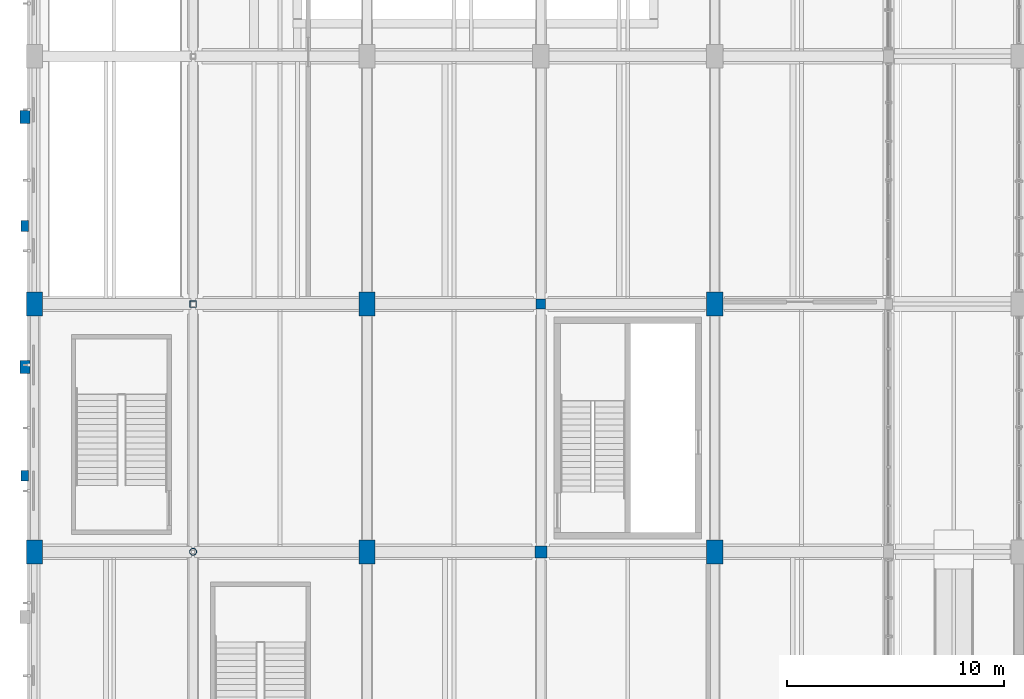
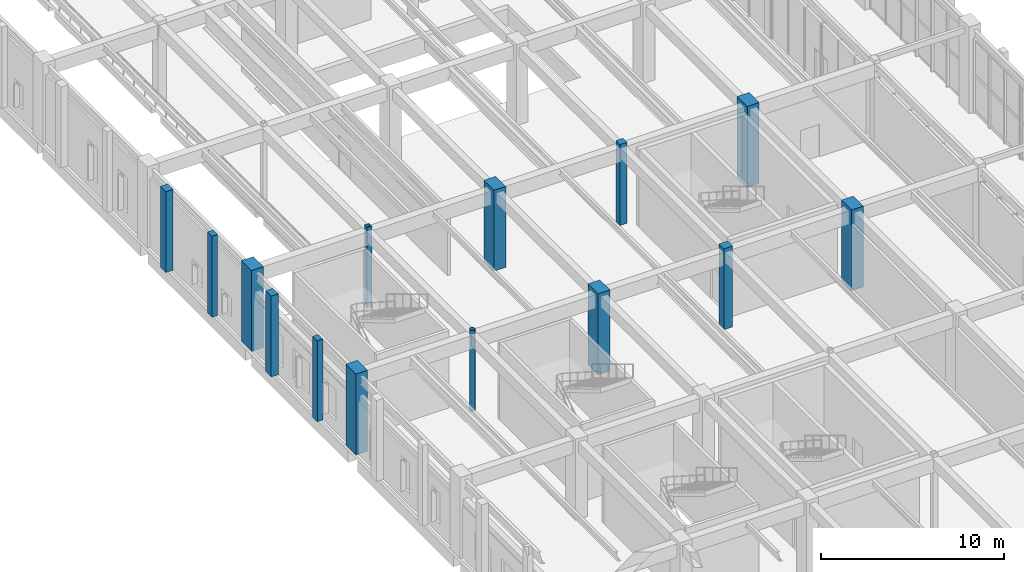
# One storey, part 5 of 113: 14 columns.
"""IFC4 building model written with IfcOpenShell, lengths in metres."""

import ifcopenshell
import ifcopenshell.guid

model = None  # the IFC model being written
_history = None  # IfcOwnerHistory: only IFC2X3 demands one
_inside = {}  # id of a spatial element -> (the spatial element, [elements in it])
_under = {}  # id of a project, library or spatial element -> (it, [spatial elements below it])
_declared = {}  # id of a project -> (the project, [libraries it declares])
_typed = {}  # id of a type object -> (the type object, [elements of that type])
_made_of = {}  # id of a material, layer set ... -> (it, [elements and type objects made of it])


def new_model(schema):
    """Start an empty IFC model of exactly this schema.

    Asked for "IFC4X3", IfcOpenShell would pick the latest addendum, in which some entities
    have other attributes; the version numbers below select the first issue.
    IFC2X3 requires an IfcOwnerHistory on every rooted entity: one is made here for all.
    """
    global model, _history
    if schema == "IFC4X3":
        model = ifcopenshell.file(schema_version=(4, 3, 0, 0))
    else:
        model = ifcopenshell.file(schema=schema)
    _inside.clear()
    _under.clear()
    _declared.clear()
    _typed.clear()
    _made_of.clear()
    _history = None
    if model.schema == "IFC2X3":
        org = make("IfcOrganization", Name="unknown")
        user = make(
            "IfcPersonAndOrganization",
            ThePerson=make("IfcPerson", FamilyName="unknown"),
            TheOrganization=org,
        )
        app = make(
            "IfcApplication",
            ApplicationDeveloper=org,
            Version="unknown",
            ApplicationFullName="unknown",
            ApplicationIdentifier="unknown",
        )
        _history = make(
            "IfcOwnerHistory",
            OwningUser=user,
            OwningApplication=app,
            ChangeAction="ADDED",
            CreationDate=0,
        )
    return model


def make(cls, **values):
    """One entity of the class cls with the attributes given. An attribute that is None is left unset."""
    return model.create_entity(
        cls, **{name: value for name, value in values.items() if value is not None}
    )


def rooted(cls, **values):
    """An entity with a GlobalId (a new one), such as an element, a storey or a relation."""
    return make(cls, GlobalId=ifcopenshell.guid.new(), OwnerHistory=_history, **values)


def si_unit(unit_type, name, prefix=None):
    """IfcSIUnit, for example si_unit("LENGTHUNIT", "METRE", prefix="MILLI")."""
    return make("IfcSIUnit", UnitType=unit_type, Prefix=prefix, Name=name)


def assignment(units):
    """IfcUnitAssignment: the units of a project."""
    return None if units is None else make("IfcUnitAssignment", Units=units)


def point(xyz):
    """IfcCartesianPoint."""
    return None if xyz is None else make("IfcCartesianPoint", Coordinates=xyz)


def direction(xyz):
    """IfcDirection."""
    return None if xyz is None else make("IfcDirection", DirectionRatios=xyz)


def frame(location, z_axis=None, x_axis=None):
    """IfcAxis2Placement3D, a coordinate frame: its origin and axes. An axis left out is left unset."""
    return make(
        "IfcAxis2Placement3D",
        Location=point(location),
        Axis=direction(z_axis),
        RefDirection=direction(x_axis),
    )


def frame_2d(location, x_axis=None):
    """IfcAxis2Placement2D, a coordinate frame in the plane: its origin and x axis."""
    return make(
        "IfcAxis2Placement2D", Location=point(location), RefDirection=direction(x_axis)
    )


def origin():
    """The frame at (0, 0, 0) with its axes left unset."""
    return frame((0.0, 0.0, 0.0))


def origin_2d():
    """The frame at (0, 0) in the plane with its x axis left unset."""
    return frame_2d((0.0, 0.0))


def place(relative_to, where):
    """IfcLocalPlacement: puts the frame where relative to a parent placement (None: the world)."""
    return make(
        "IfcLocalPlacement", PlacementRelTo=relative_to, RelativePlacement=where
    )


def context(
    kind, dimensions, precision=None, world=None, true_north=None, identifier=None
):
    """IfcGeometricRepresentationContext, for example the 3D "Model" context."""
    return make(
        "IfcGeometricRepresentationContext",
        ContextIdentifier=identifier,
        ContextType=kind,
        CoordinateSpaceDimension=dimensions,
        Precision=precision,
        WorldCoordinateSystem=world,
        TrueNorth=true_north,
    )


def subcontext(parent, identifier, kind, view, scale=None):
    """IfcGeometricRepresentationSubContext, for example "Body" below "Model"."""
    return make(
        "IfcGeometricRepresentationSubContext",
        ContextIdentifier=identifier,
        ContextType=kind,
        ParentContext=parent,
        TargetScale=scale,
        TargetView=view,
    )


def project(units=None, contexts=None):
    """IfcProject with its units and contexts."""
    return rooted(
        "IfcProject",
        Name="project",
        RepresentationContexts=contexts,
        UnitsInContext=assignment(units),
    )


def spatial(cls, under=None, at=None, **own):
    """A site, building, storey or space (cls), placed at a placement, below another one or the project."""
    s = rooted(cls, ObjectPlacement=at, **own)
    if under is not None:
        _under.setdefault(under.id(), (under, []))[1].append(s)
    return s


def profile(cls, at=None, kind="AREA", **sizes):
    """A parametric profile (cls). Its sizes go by their IFC names, for example OverallWidth=200.0."""
    return make(cls, ProfileType=kind, Position=at, **sizes)


def rectangle(**sizes):
    """IfcRectangleProfileDef."""
    return profile("IfcRectangleProfileDef", **sizes)


def hollow_rectangle(**sizes):
    """IfcRectangleHollowProfileDef."""
    return profile("IfcRectangleHollowProfileDef", **sizes)


def hollow_circle(**sizes):
    """IfcCircleHollowProfileDef."""
    return profile("IfcCircleHollowProfileDef", **sizes)


def extrude(swept, where, along, depth):
    """IfcExtrudedAreaSolid: the profile swept, set in the frame where, extruded along a direction by depth."""
    return make(
        "IfcExtrudedAreaSolid",
        SweptArea=swept,
        Position=where,
        ExtrudedDirection=direction(along),
        Depth=depth,
    )


def shape(context_of_items, identifier, shape_type, items):
    """IfcShapeRepresentation: the items that make up one representation, for example the "Body"."""
    return make(
        "IfcShapeRepresentation",
        ContextOfItems=context_of_items,
        RepresentationIdentifier=identifier,
        RepresentationType=shape_type,
        Items=items,
    )


def material(Name=None, Category=None):
    """IfcMaterial."""
    return make("IfcMaterial", Name=Name, Category=Category)


def material_profile(
    of_material, cross_section, Name=None, Category=None, Priority=None
):
    """IfcMaterialProfile: a cross section and its material."""
    return make(
        "IfcMaterialProfile",
        Name=Name,
        Material=of_material,
        Profile=cross_section,
        Priority=Priority,
        Category=Category,
    )


def profile_set(profiles, Name=None, composite=None):
    """IfcMaterialProfileSet."""
    return make(
        "IfcMaterialProfileSet",
        Name=Name,
        MaterialProfiles=profiles,
        CompositeProfile=composite,
    )


def made_of(thing, what):
    """Note that an element or type object is made of a material, layer set ...; save() writes the relation."""
    if what is not None:
        _made_of.setdefault(what.id(), (what, []))[1].append(thing)
    return thing


def type_object(cls, material=None, **own):
    """A type object (cls), such as IfcWallType, which elements share."""
    return made_of(rooted(cls, **own), material)


def element(
    cls,
    number,
    at=None,
    inside=None,
    cuts=None,
    type_object=None,
    material=None,
    context=None,
    identifier="Body",
    shape_type=None,
    held_by="IfcProductDefinitionShape",
    body=None,
    shapes=None,
    **own,
):
    """One element of the class cls, such as IfcWall. Its Tag is "e" and its number.

    at: its placement. inside: the storey or other place that contains it. cuts: it is an
    opening in that element (IfcRelVoidsElement). A single representation is given by context,
    identifier, shape_type and body (its items); several are given by shapes. held_by: the class
    of the entity that holds the representations. save() writes the other relations.
    """
    e = rooted(cls, Tag="e%d" % number, ObjectPlacement=at, **own)
    if body is not None:
        shapes = [shape(context, identifier, shape_type, body)]
    if shapes is not None:
        e.Representation = make(held_by, Representations=shapes)
    if inside is not None:
        _inside.setdefault(inside.id(), (inside, []))[1].append(e)
    if cuts is not None:
        rooted(
            "IfcRelVoidsElement", RelatingBuildingElement=cuts, RelatedOpeningElement=e
        )
    if type_object is not None:
        _typed.setdefault(type_object.id(), (type_object, []))[1].append(e)
    return made_of(e, material)


def aggregate(whole, parts):
    """IfcRelAggregates: a whole, such as a stair, and the parts it consists of."""
    return rooted("IfcRelAggregates", RelatingObject=whole, RelatedObjects=parts)


def save(model, path):
    """Write the relations noted so far, then the file.

    IfcRelAggregates (storeys below a building ...), IfcRelContainedInSpatialStructure (elements
    in a storey), IfcRelDefinesByType, IfcRelAssociatesMaterial and IfcRelDeclares: one each for
    every whole, place, type object, material and project.
    """
    for whole, parts in _under.values():
        aggregate(whole, parts)
    for where, things in _inside.values():
        rooted(
            "IfcRelContainedInSpatialStructure",
            RelatedElements=things,
            RelatingStructure=where,
        )
    for kind, things in _typed.values():
        rooted("IfcRelDefinesByType", RelatedObjects=things, RelatingType=kind)
    for what, things in _made_of.values():
        rooted("IfcRelAssociatesMaterial", RelatedObjects=things, RelatingMaterial=what)
    for by, libraries in _declared.values():
        rooted("IfcRelDeclares", RelatingContext=by, RelatedDefinitions=libraries)
    model.write(path)


model = new_model("IFC4")

# Units and contexts
model_context = context("Model", 3, precision=1e-05, world=origin(), true_north=direction((0.0, 1.0)))
body_context = subcontext(model_context, "Body", "Model", "MODEL_VIEW")
ifc_project = project(units=[si_unit("LENGTHUNIT", "METRE"), si_unit("AREAUNIT", "SQUARE_METRE"), si_unit("VOLUMEUNIT", "CUBIC_METRE"), si_unit("PLANEANGLEUNIT", "RADIAN"), si_unit("MASSUNIT", "GRAM", prefix="KILO"), si_unit("POWERUNIT", "WATT"), si_unit("THERMODYNAMICTEMPERATUREUNIT", "KELVIN")], contexts=[model_context])

# Site, building, storey
site_placement = place(None, origin())
site = spatial("IfcSite", under=ifc_project, at=site_placement, CompositionType="ELEMENT")
building_placement = place(site_placement, origin())
building = spatial("IfcBuilding", under=site, at=building_placement, Name="Kelmbourne Parkland Aquatics Centre", CompositionType="ELEMENT")
storey_placement = place(building_placement, origin())
storey = spatial("IfcBuildingStorey", under=building, at=storey_placement, Name="L00", CompositionType="ELEMENT", Elevation=0.0)

# Columns
ifc_material_1 = material(Name="Concrete C40/50", Category="concrete")
ifc_material_profile_1 = material_profile(ifc_material_1, rectangle(XDim=0.75, YDim=1.10009765625, at=origin_2d()), Name="RC 750x1100")
ifc_profile_set_1 = profile_set([ifc_material_profile_1], Name="Concrete C40/50")
column_type_1 = type_object("IfcColumnType", Name="COL-C03", PredefinedType="COLUMN", material=ifc_profile_set_1)
for number, where, z_axis, x_axis, name in (
    (1, (0.699951171875, 35.0, 0.0), (0.0, 0.0, 1.0), (1.0, 0.0, 0.0), "Structural column A-05 (L00)"),
    (2, (0.699951171875, 46.39990234375, 0.0), (0.0, 0.0, 1.0), (1.0, 0.0, 0.0), "Structural column A-06 (L00)"),
    (3, (16.0, 35.0, 0.0), (0.0, 0.0, 1.0), (1.0, 0.0, 0.0), "Structural column C-05 (L00)"),
    (4, (16.0, 46.39990234375, 0.0), (0.0, 0.0, 1.0), (1.0, 0.0, 0.0), "Structural column C-06 (L00)"),
    (5, (32.0, 35.0, 0.0), (0.0, 0.0, 1.0), (1.0, 0.0, 0.0), "Structural column E-05 (L00)"),
    (6, (32.0, 46.39990234375, 0.0), (0.0, 0.0, 1.0), (1.0, 0.0, 0.0), "Structural column E-06 (L00)"),
):
    element("IfcColumn", number, at=place(storey_placement, frame(where, z_axis=z_axis, x_axis=x_axis)), inside=storey, type_object=column_type_1, Name=name, PredefinedType="COLUMN", context=body_context, shape_type="SweptSolid", body=[
        extrude(rectangle(XDim=0.75, YDim=1.10009765625, at=origin_2d()), origin(), (0.0, 0.0, 1.0), 5.39990234375),
    ])
ifc_material_profile_2 = material_profile(ifc_material_1, rectangle(XDim=0.550048828125, YDim=0.550048828125, at=origin_2d()), Name="RC 550x550")
ifc_profile_set_2 = profile_set([ifc_material_profile_2], Name="Concrete C40/50")
column_type_2 = type_object("IfcColumnType", Name="COL-C07", PredefinedType="COLUMN", material=ifc_profile_set_2)
column_1_placement = place(storey_placement, frame((24.0, 35.0, 0.0), z_axis=(0.0, 0.0, 1.0), x_axis=(1.0, 0.0, 0.0)))
element("IfcColumn", 7, at=column_1_placement, inside=storey, type_object=column_type_2, Name="Structural column D-05 (L00)", PredefinedType="COLUMN", context=body_context, shape_type="SweptSolid", body=[
    extrude(rectangle(XDim=0.550048828125, YDim=0.550048828125, at=origin_2d()), origin(), (0.0, 0.0, 1.0), 5.39990234375),
])
ifc_material_profile_3 = material_profile(ifc_material_1, rectangle(XDim=0.449951171875, YDim=0.449951171875, at=origin_2d()), Name="RC 450x450")
ifc_profile_set_3 = profile_set([ifc_material_profile_3], Name="Concrete C40/50")
column_type_3 = type_object("IfcColumnType", Name="COL-C08", PredefinedType="COLUMN", material=ifc_profile_set_3)
column_2_placement = place(storey_placement, frame((24.0, 46.39990234375, 0.0), z_axis=(0.0, 0.0, 1.0), x_axis=(1.0, 0.0, 0.0)))
element("IfcColumn", 8, at=column_2_placement, inside=storey, type_object=column_type_3, Name="Structural column D-06 (L00)", PredefinedType="COLUMN", context=body_context, shape_type="SweptSolid", body=[
    extrude(rectangle(XDim=0.449951171875, YDim=0.449951171875, at=origin_2d()), origin(), (0.0, 0.0, 1.0), 5.39990234375),
])
ifc_material_2 = material(Name="Cold-formed hollow steel AS/NZS 1163 C350L0", Category="steel")
ifc_material_profile_4 = material_profile(ifc_material_2, hollow_circle(Radius=0.161865234375, WallThickness=0.0126953125, at=origin_2d()), Name="CHS 323.9x12.7")
ifc_profile_set_4 = profile_set([ifc_material_profile_4], Name="Cold-formed hollow steel AS/NZS 1163 C350L0")
column_type_4 = type_object("IfcColumnType", Name="COL-C21", PredefinedType="COLUMN", material=ifc_profile_set_4)
column_3_placement = place(storey_placement, frame((8.0, 35.0, 0.0), z_axis=(0.0, 0.0, 1.0), x_axis=(1.0, 0.0, 0.0)))
element("IfcColumn", 9, at=column_3_placement, inside=storey, type_object=column_type_4, Name="Structural column B-05 (L00)", PredefinedType="COLUMN", context=body_context, shape_type="SweptSolid", body=[
    extrude(hollow_circle(Radius=0.161865234375, WallThickness=0.0126953125, at=origin_2d()), origin(), (0.0, 0.0, 1.0), 5.39990234375),
])
ifc_material_profile_5 = material_profile(ifc_material_2, hollow_rectangle(XDim=0.300048828125, YDim=0.300048828125, WallThickness=0.012451171875, at=origin_2d()), Name="SHS 300x300x12.5")
ifc_profile_set_5 = profile_set([ifc_material_profile_5], Name="Cold-formed hollow steel AS/NZS 1163 C350L0")
column_type_5 = type_object("IfcColumnType", Name="COL-C22", PredefinedType="COLUMN", material=ifc_profile_set_5)
column_4_placement = place(storey_placement, frame((8.0, 46.39990234375, 0.0), z_axis=(0.0, 0.0, 1.0), x_axis=(1.0, 0.0, 0.0)))
element("IfcColumn", 10, at=column_4_placement, inside=storey, type_object=column_type_5, Name="Structural column B-06 (L00)", PredefinedType="COLUMN", context=body_context, shape_type="SweptSolid", body=[
    extrude(hollow_rectangle(XDim=0.300048828125, YDim=0.300048828125, WallThickness=0.012451171875, at=origin_2d()), origin(), (0.0, 0.0, 1.0), 5.39990234375),
])
ifc_material_3 = material(Name="Clay brick masonry AS 3700 M12", Category="masonry")
ifc_material_profile_6 = material_profile(ifc_material_3, rectangle(XDim=0.35009765625, YDim=0.5, at=origin_2d()), Name="PIL 350x500")
ifc_profile_set_6 = profile_set([ifc_material_profile_6], Name="Clay brick masonry AS 3700 M12")
column_type_6 = type_object("IfcColumnType", Name="PIL-PL1", PredefinedType="PILASTER", material=ifc_profile_set_6)
for number, where, z_axis, x_axis, name in (
    (11, (0.260009765625, 38.5, 0.0), (0.0, 0.0, 1.0), (1.0, 0.0, 0.0), "Amsterdam School engaged brick buttress W-007 (L00)"),
    (12, (0.260009765625, 50.0, 0.0), (0.0, 0.0, 1.0), (1.0, 0.0, 0.0), "Amsterdam School engaged brick buttress W-009 (L00)"),
):
    element("IfcColumn", number, at=place(storey_placement, frame(where, z_axis=z_axis, x_axis=x_axis)), inside=storey, type_object=column_type_6, Name=name, PredefinedType="PILASTER", context=body_context, shape_type="SweptSolid", body=[
        extrude(rectangle(XDim=0.35009765625, YDim=0.5, at=origin_2d()), origin(), (0.0, 0.0, 1.0), 5.39990234375),
    ])
ifc_material_profile_7 = material_profile(ifc_material_3, rectangle(XDim=0.449951171875, YDim=0.60009765625, at=origin_2d()), Name="PIL 450x600")
ifc_profile_set_7 = profile_set([ifc_material_profile_7], Name="Clay brick masonry AS 3700 M12")
column_type_7 = type_object("IfcColumnType", Name="PIL-PL2", PredefinedType="PILASTER", material=ifc_profile_set_7)
for number, where, z_axis, x_axis, name in (
    (13, (0.260009765625, 43.5, 0.0), (0.0, 0.0, 1.0), (1.0, 0.0, 0.0), "Amsterdam School engaged brick buttress W-008 (L00)"),
    (14, (0.260009765625, 55.0, 0.0), (0.0, 0.0, 1.0), (1.0, 0.0, 0.0), "Amsterdam School engaged brick buttress W-010 (L00)"),
):
    element("IfcColumn", number, at=place(storey_placement, frame(where, z_axis=z_axis, x_axis=x_axis)), inside=storey, type_object=column_type_7, Name=name, PredefinedType="PILASTER", context=body_context, shape_type="SweptSolid", body=[
        extrude(rectangle(XDim=0.449951171875, YDim=0.60009765625, at=origin_2d()), origin(), (0.0, 0.0, 1.0), 5.39990234375),
    ])

save(model, "model.ifc")
